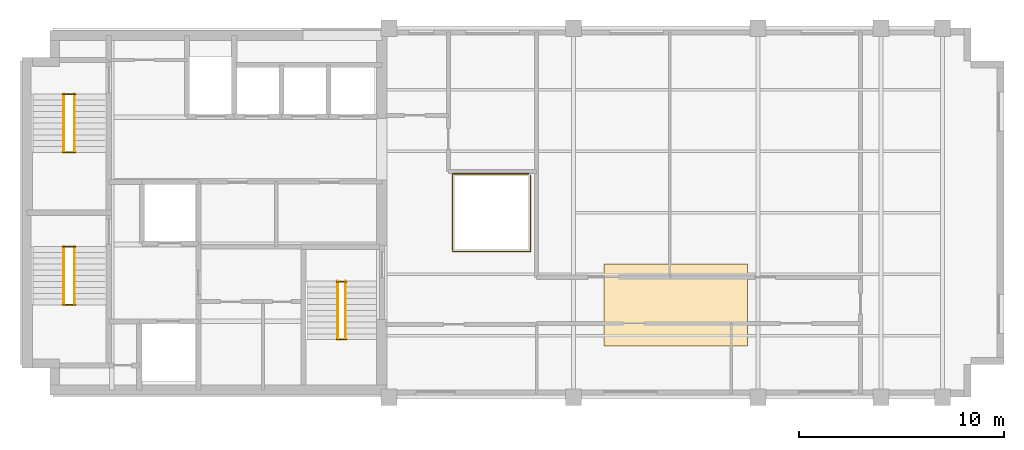
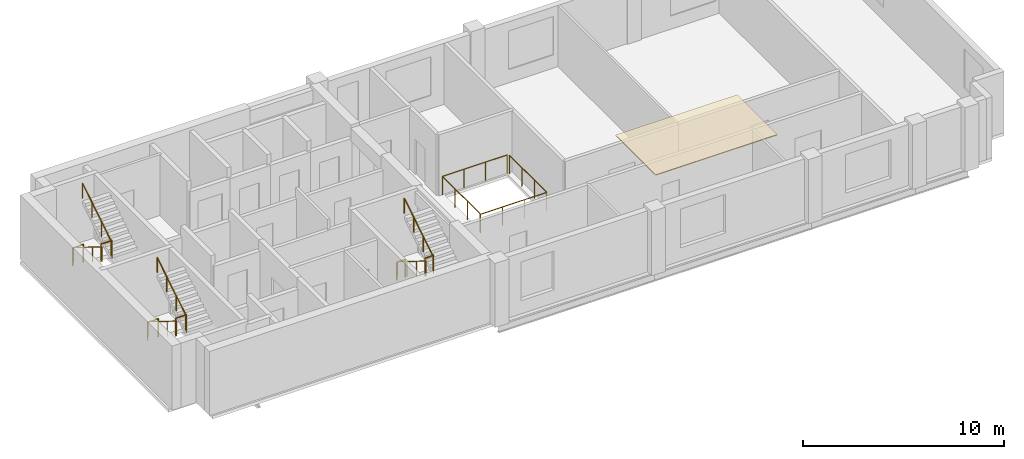
# One storey, part 5 of 5: 14 railings, 1 covering.
"""IFC4 building model written with IfcOpenShell, lengths in metres."""

from ifc_helpers import new_model, si_unit, direction, frame, origin, origin_2d, place, context, subcontext, project, spatial, polyline, circle, outline, extrude, material, layer, layer_set, type_object, element, save


model = new_model("IFC4")

# Units and contexts
model_context = context("Model", 3, precision=1e-05, world=origin(), true_north=direction((0.0, 1.0)))
body_context = subcontext(model_context, "Body", "Model", "MODEL_VIEW")
ifc_project = project(units=[si_unit("LENGTHUNIT", "METRE"), si_unit("AREAUNIT", "SQUARE_METRE"), si_unit("VOLUMEUNIT", "CUBIC_METRE"), si_unit("PLANEANGLEUNIT", "RADIAN"), si_unit("MASSUNIT", "GRAM", prefix="KILO")], contexts=[model_context])

# Site, building, storey
site_placement = place(None, origin())
site = spatial("IfcSite", under=ifc_project, at=site_placement, CompositionType="ELEMENT")
building_placement = place(site_placement, origin())
building = spatial("IfcBuilding", under=site, at=building_placement, Name="Mawjdan Bourse Tower", CompositionType="ELEMENT")
storey_placement = place(building_placement, frame((0.0, 0.0, 262.5)))
storey = spatial("IfcBuildingStorey", under=building, at=storey_placement, Name="L64", CompositionType="ELEMENT", Elevation=262.5)

# Covering
ifc_material_1 = material(Name="Perforated Mineral-Fibre Acoustic Ceiling")
ifc_layer = layer(ifc_material_1, 0.044921875)
ifc_layer_set = layer_set([ifc_layer], Name="Perforated Mineral-Fibre Acoustic Ceiling")
covering_type = type_object("IfcCoveringType", Name="COV-CLG-AC", PredefinedType="CEILING", material=ifc_layer_set)
covering_placement = place(storey_placement, frame((0.0, 0.0, 3.669921875)))
element("IfcCovering", 1, at=covering_placement, inside=storey, type_object=covering_type, Name="L64 Suspended Acoustic Ceiling", PredefinedType="CEILING", context=body_context, shape_type="SweptSolid", body=[
    extrude(outline(polyline([(34.5, 5.5), (41.5, 5.5), (41.5, 9.5), (34.5, 9.5), (34.5, 5.5)])), origin(), (0.0, 0.0, 1.0), 0.045166015625),
])

# Railings
ifc_material_2 = material(Name="Stainless Steel and Laminated Glass", Category="steel")
railing_type_1 = type_object("IfcRailingType", Name="RLG-BAL-1150", PredefinedType="BALUSTRADE", material=ifc_material_2)
railing_1_placement = place(storey_placement, frame((27.10009765625, 10.10009765625, 0.0)))
element("IfcRailing", 2, at=railing_1_placement, inside=storey, type_object=railing_type_1, Name="L64 Summit Atrium Lightwell Balustrade SE", PredefinedType="BALUSTRADE", context=body_context, shape_type="SweptSolid", body=[
    extrude(circle(Radius=0.02685546875, at=origin_2d()), frame((0.0, 0.0, 1.123046875), z_axis=(1.0, 0.0, 0.0), x_axis=(0.0, 1.0, 0.0)), (0.0, 0.0, 1.0), 3.7998046875),
    extrude(circle(Radius=0.02685546875, at=origin_2d()), frame((3.7998046875, 0.0, 1.123046875), z_axis=(0.0, 1.0, 0.0), x_axis=(-1.0, 0.0, 0.0)), (0.0, 0.0, 1.0), 3.719970703125),
    extrude(circle(Radius=0.02294921875, at=origin_2d()), origin(), (0.0, 0.0, 1.0), 1.095947265625),
    extrude(circle(Radius=0.02294921875, at=origin_2d()), frame((1.2666015625, 0.0, 0.0)), (0.0, 0.0, 1.0), 1.095947265625),
    extrude(circle(Radius=0.02294921875, at=origin_2d()), frame((2.533203125, 0.0, 0.0)), (0.0, 0.0, 1.0), 1.095947265625),
    extrude(circle(Radius=0.02294921875, at=origin_2d()), frame((3.7998046875, 0.0, 0.0)), (0.0, 0.0, 1.0), 1.095947265625),
    extrude(circle(Radius=0.02294921875, at=origin_2d()), frame((3.7998046875, 1.239990234375, 0.0)), (0.0, 0.0, 1.0), 1.095947265625),
    extrude(circle(Radius=0.02294921875, at=origin_2d()), frame((3.7998046875, 2.47998046875, 0.0)), (0.0, 0.0, 1.0), 1.095947265625),
    extrude(circle(Radius=0.02294921875, at=origin_2d()), frame((3.7998046875, 3.719970703125, 0.0)), (0.0, 0.0, 1.0), 1.095947265625),
])
railing_2_placement = place(storey_placement, frame((30.820068359375, 13.89990234375, 0.0)))
element("IfcRailing", 3, at=railing_2_placement, inside=storey, type_object=railing_type_1, Name="L64 Summit Atrium Lightwell Balustrade NW", PredefinedType="BALUSTRADE", context=body_context, shape_type="SweptSolid", body=[
    extrude(circle(Radius=0.02685546875, at=origin_2d()), frame((0.0, 0.0, 1.123046875), z_axis=(-1.0, 0.0, 0.0), x_axis=(0.0, -1.0, 0.0)), (0.0, 0.0, 1.0), 3.719970703125),
    extrude(circle(Radius=0.02685546875, at=origin_2d()), frame((-3.719970703125, 0.0, 1.123046875), z_axis=(0.0, -1.0, 0.0), x_axis=(1.0, 0.0, 0.0)), (0.0, 0.0, 1.0), 3.719970703125),
    extrude(circle(Radius=0.02294921875, at=origin_2d()), origin(), (0.0, 0.0, 1.0), 1.095947265625),
    extrude(circle(Radius=0.02294921875, at=origin_2d()), frame((-1.239990234375, 0.0, 0.0)), (0.0, 0.0, 1.0), 1.095947265625),
    extrude(circle(Radius=0.02294921875, at=origin_2d()), frame((-2.47998046875, 0.0, 0.0)), (0.0, 0.0, 1.0), 1.095947265625),
    extrude(circle(Radius=0.02294921875, at=origin_2d()), frame((-3.719970703125, 0.0, 0.0)), (0.0, 0.0, 1.0), 1.095947265625),
    extrude(circle(Radius=0.02294921875, at=origin_2d()), frame((-3.719970703125, -1.239990234375, 0.0)), (0.0, 0.0, 1.0), 1.095947265625),
    extrude(circle(Radius=0.02294921875, at=origin_2d()), frame((-3.719970703125, -2.47998046875, 0.0)), (0.0, 0.0, 1.0), 1.095947265625),
    extrude(circle(Radius=0.02294921875, at=origin_2d()), frame((-3.719970703125, -3.719970703125, 0.0)), (0.0, 0.0, 1.0), 1.095947265625),
])
ifc_material_3 = material(Name="Structural Steel S355", Category="steel")
railing_type_2 = type_object("IfcRailingType", Name="RLG-GRD-1100", PredefinedType="GUARDRAIL", material=ifc_material_3)
for number, where, name in (
    (4, (8.090087890625, 7.52001953125, 1.949951171875), "L64 ST1 Landing Guardrail GL-MID"),
    (5, (8.090087890625, 10.330078125, 0.0), "L64 ST1 Landing Guardrail GL-BOT"),
    (6, (8.090087890625, 14.9599609375, 1.949951171875), "L64 ST2 Landing Guardrail GL-MID"),
    (7, (8.090087890625, 17.77001953125, 0.0), "L64 ST2 Landing Guardrail GL-BOT"),
):
    element("IfcRailing", number, at=place(storey_placement, frame(where)), inside=storey, type_object=railing_type_2, Name=name, PredefinedType="GUARDRAIL", context=body_context, shape_type="SweptSolid", body=[
        extrude(circle(Radius=0.02490234375, at=origin_2d()), frame((0.0, 0.0, 1.0751953125), z_axis=(1.0, 0.0, 0.0), x_axis=(0.0, 1.0, 0.0)), (0.0, 0.0, 1.0), 0.619873046875),
        extrude(circle(Radius=0.02099609375, at=origin_2d()), origin(), (0.0, 0.0, 1.0), 1.050048828125),
        extrude(circle(Radius=0.02099609375, at=origin_2d()), frame((0.619873046875, 0.0, 0.0)), (0.0, 0.0, 1.0), 1.050048828125),
    ])
for number, where, name in (
    (8, (21.43994140625, 5.830078125, 1.949951171875), "L64 ST7 Landing Guardrail GL-MID"),
    (9, (21.43994140625, 8.639892578125, 0.0), "L64 ST7 Landing Guardrail GL-BOT"),
):
    element("IfcRailing", number, at=place(storey_placement, frame(where)), inside=storey, type_object=railing_type_2, Name=name, PredefinedType="GUARDRAIL", context=body_context, shape_type="SweptSolid", body=[
        extrude(circle(Radius=0.02490234375, at=origin_2d()), frame((0.0, 0.0, 1.0751953125), z_axis=(1.0, 0.0, 0.0), x_axis=(0.0, 1.0, 0.0)), (0.0, 0.0, 1.0), 0.489990234375),
        extrude(circle(Radius=0.02099609375, at=origin_2d()), origin(), (0.0, 0.0, 1.0), 1.050048828125),
        extrude(circle(Radius=0.02099609375, at=origin_2d()), frame((0.489990234375, 0.0, 0.0)), (0.0, 0.0, 1.0), 1.050048828125),
    ])
ifc_material_4 = material(Name="Brushed Stainless Steel", Category="steel")
railing_type_3 = type_object("IfcRailingType", Name="RLG-HND-920", PredefinedType="HANDRAIL", material=ifc_material_4)
railing_3_placement = place(storey_placement, frame((8.139892578125, 10.35009765625, 0.17724609375)))
element("IfcRailing", 10, at=railing_3_placement, inside=storey, type_object=railing_type_3, Name="L64 ST1 Flight Handrail HR1", PredefinedType="HANDRAIL", context=body_context, shape_type="SweptSolid", body=[
    extrude(circle(Radius=0.0224609375, at=origin_2d()), frame((0.0, 0.0, 0.8974609375), z_axis=(0.0, -0.849148672731, 0.528153890072), x_axis=(1.0, 0.0, 0.0)), (0.0, 0.0, 1.0), 3.3564453125),
    extrude(circle(Radius=0.01904296875, at=origin_2d()), origin(), (0.0, 0.0, 1.0), 0.875),
    extrude(circle(Radius=0.01904296875, at=origin_2d()), frame((0.0, -0.949951171875, 0.5908203125)), (0.0, 0.0, 1.0), 0.875),
    extrude(circle(Radius=0.01904296875, at=origin_2d()), frame((0.0, -1.900146484375, 1.181884765625)), (0.0, 0.0, 1.0), 0.875),
    extrude(circle(Radius=0.01904296875, at=origin_2d()), frame((0.0, -2.85009765625, 1.772705078125)), (0.0, 0.0, 1.0), 0.875),
])
railing_4_placement = place(storey_placement, frame((8.659912109375, 7.5, 2.127197265625)))
element("IfcRailing", 11, at=railing_4_placement, inside=storey, type_object=railing_type_3, Name="L64 ST1 Flight Handrail HR2", PredefinedType="HANDRAIL", context=body_context, shape_type="SweptSolid", body=[
    extrude(circle(Radius=0.0224609375, at=origin_2d()), frame((0.0, 0.0, 0.8974609375), z_axis=(0.0, 0.849148672731, 0.528153890072), x_axis=(-1.0, 0.0, 0.0)), (0.0, 0.0, 1.0), 3.3564453125),
    extrude(circle(Radius=0.01904296875, at=origin_2d()), origin(), (0.0, 0.0, 1.0), 0.875),
    extrude(circle(Radius=0.01904296875, at=origin_2d()), frame((0.0, 0.949951171875, 0.5908203125)), (0.0, 0.0, 1.0), 0.875),
    extrude(circle(Radius=0.01904296875, at=origin_2d()), frame((0.0, 1.900146484375, 1.181884765625)), (0.0, 0.0, 1.0), 0.875),
    extrude(circle(Radius=0.01904296875, at=origin_2d()), frame((0.0, 2.85009765625, 1.772705078125)), (0.0, 0.0, 1.0), 0.875),
])
railing_5_placement = place(storey_placement, frame((8.139892578125, 17.7900390625, 0.17724609375)))
element("IfcRailing", 12, at=railing_5_placement, inside=storey, type_object=railing_type_3, Name="L64 ST2 Flight Handrail HR1", PredefinedType="HANDRAIL", context=body_context, shape_type="SweptSolid", body=[
    extrude(circle(Radius=0.0224609375, at=origin_2d()), frame((0.0, 0.0, 0.8974609375), z_axis=(0.0, -0.849148672731, 0.528153890072), x_axis=(1.0, 0.0, 0.0)), (0.0, 0.0, 1.0), 3.3564453125),
    extrude(circle(Radius=0.01904296875, at=origin_2d()), origin(), (0.0, 0.0, 1.0), 0.875),
    extrude(circle(Radius=0.01904296875, at=origin_2d()), frame((0.0, -0.949951171875, 0.5908203125)), (0.0, 0.0, 1.0), 0.875),
    extrude(circle(Radius=0.01904296875, at=origin_2d()), frame((0.0, -1.900146484375, 1.181884765625)), (0.0, 0.0, 1.0), 0.875),
    extrude(circle(Radius=0.01904296875, at=origin_2d()), frame((0.0, -2.85009765625, 1.772705078125)), (0.0, 0.0, 1.0), 0.875),
])
railing_6_placement = place(storey_placement, frame((8.659912109375, 14.93994140625, 2.127197265625)))
element("IfcRailing", 13, at=railing_6_placement, inside=storey, type_object=railing_type_3, Name="L64 ST2 Flight Handrail HR2", PredefinedType="HANDRAIL", context=body_context, shape_type="SweptSolid", body=[
    extrude(circle(Radius=0.0224609375, at=origin_2d()), frame((0.0, 0.0, 0.8974609375), z_axis=(0.0, 0.849148672731, 0.528153890072), x_axis=(-1.0, 0.0, 0.0)), (0.0, 0.0, 1.0), 3.3564453125),
    extrude(circle(Radius=0.01904296875, at=origin_2d()), origin(), (0.0, 0.0, 1.0), 0.875),
    extrude(circle(Radius=0.01904296875, at=origin_2d()), frame((0.0, 0.949951171875, 0.5908203125)), (0.0, 0.0, 1.0), 0.875),
    extrude(circle(Radius=0.01904296875, at=origin_2d()), frame((0.0, 1.900146484375, 1.181884765625)), (0.0, 0.0, 1.0), 0.875),
    extrude(circle(Radius=0.01904296875, at=origin_2d()), frame((0.0, 2.85009765625, 1.772705078125)), (0.0, 0.0, 1.0), 0.875),
])
railing_7_placement = place(storey_placement, frame((21.489990234375, 8.659912109375, 0.17724609375)))
element("IfcRailing", 14, at=railing_7_placement, inside=storey, type_object=railing_type_3, Name="L64 ST7 Flight Handrail HR1", PredefinedType="HANDRAIL", context=body_context, shape_type="SweptSolid", body=[
    extrude(circle(Radius=0.0224609375, at=origin_2d()), frame((0.0, 0.0, 0.8974609375), z_axis=(0.0, -0.849128380713, 0.528186513523), x_axis=(1.0, 0.0, 0.0)), (0.0, 0.0, 1.0), 3.356201171875),
    extrude(circle(Radius=0.01904296875, at=origin_2d()), origin(), (0.0, 0.0, 1.0), 0.875),
    extrude(circle(Radius=0.01904296875, at=origin_2d()), frame((0.0, -0.949951171875, 0.5908203125)), (0.0, 0.0, 1.0), 0.875),
    extrude(circle(Radius=0.01904296875, at=origin_2d()), frame((0.0, -1.89990234375, 1.181884765625)), (0.0, 0.0, 1.0), 0.875),
    extrude(circle(Radius=0.01904296875, at=origin_2d()), frame((0.0, -2.849853515625, 1.772705078125)), (0.0, 0.0, 1.0), 0.875),
])
railing_8_placement = place(storey_placement, frame((21.8798828125, 5.81005859375, 2.127197265625)))
element("IfcRailing", 15, at=railing_8_placement, inside=storey, type_object=railing_type_3, Name="L64 ST7 Flight Handrail HR2", PredefinedType="HANDRAIL", context=body_context, shape_type="SweptSolid", body=[
    extrude(circle(Radius=0.0224609375, at=origin_2d()), frame((0.0, 0.0, 0.8974609375), z_axis=(0.0, 0.849128380713, 0.528186513523), x_axis=(-1.0, 0.0, 0.0)), (0.0, 0.0, 1.0), 3.356201171875),
    extrude(circle(Radius=0.01904296875, at=origin_2d()), origin(), (0.0, 0.0, 1.0), 0.875),
    extrude(circle(Radius=0.01904296875, at=origin_2d()), frame((0.0, 0.949951171875, 0.5908203125)), (0.0, 0.0, 1.0), 0.875),
    extrude(circle(Radius=0.01904296875, at=origin_2d()), frame((0.0, 1.89990234375, 1.181884765625)), (0.0, 0.0, 1.0), 0.875),
    extrude(circle(Radius=0.01904296875, at=origin_2d()), frame((0.0, 2.849853515625, 1.772705078125)), (0.0, 0.0, 1.0), 0.875),
])

save(model, "model.ifc")
